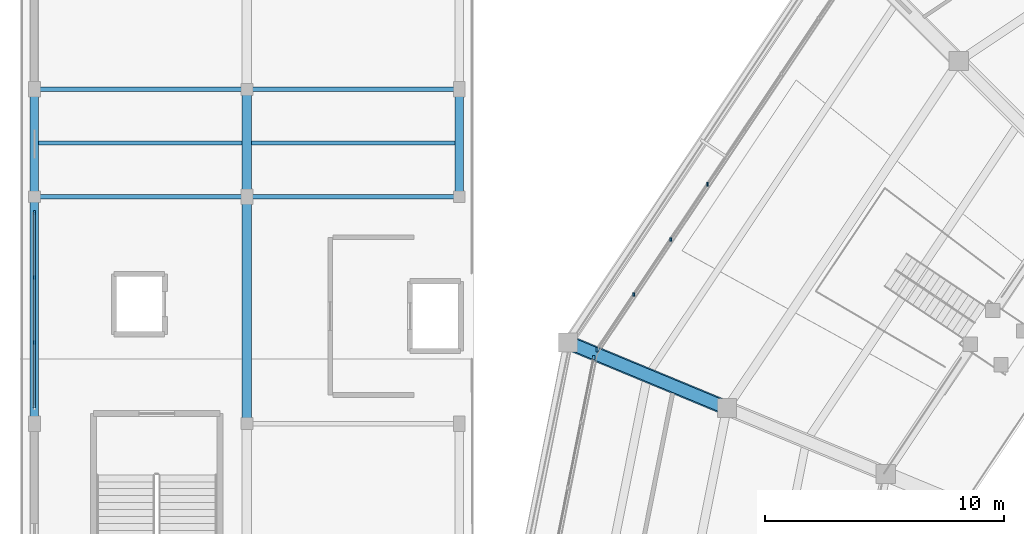
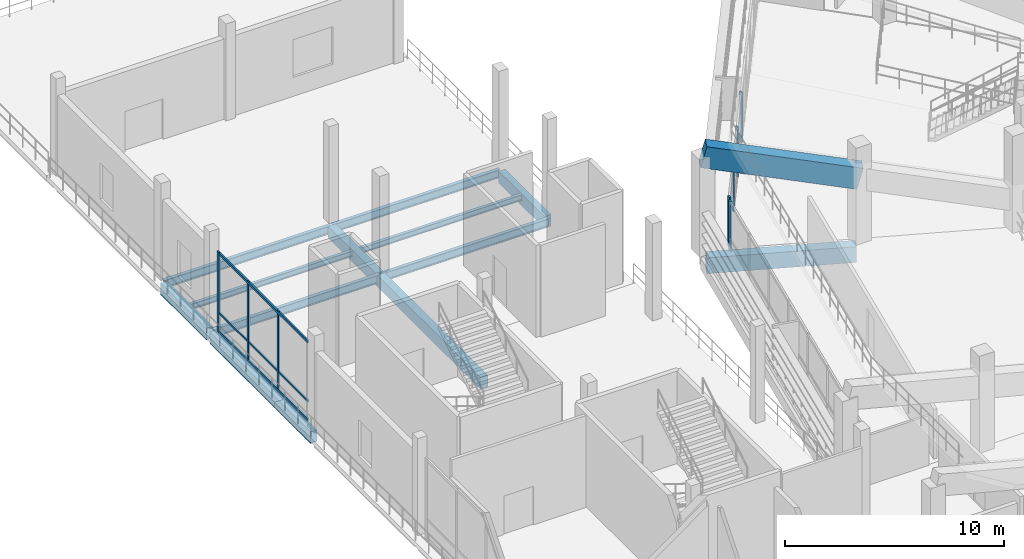
# One storey, part 24 of 96: 13 beams, 11 members, 3 elements without a shape of their own.
"""IFC4 building model written with IfcOpenShell, lengths in metres."""

from ifc_helpers import new_model, si_unit, direction, frame, origin, origin_2d, place, context, subcontext, project, spatial, rectangle, i_section, extrude, material, material_profile, profile_set, type_object, element, aggregate, save


model = new_model("IFC4")

# Units and contexts
model_context = context("Model", 3, precision=1e-05, world=origin(), true_north=direction((0.0, 1.0)))
body_context = subcontext(model_context, "Body", "Model", "MODEL_VIEW")
ifc_project = project(units=[si_unit("LENGTHUNIT", "METRE"), si_unit("AREAUNIT", "SQUARE_METRE"), si_unit("VOLUMEUNIT", "CUBIC_METRE"), si_unit("PLANEANGLEUNIT", "RADIAN"), si_unit("MASSUNIT", "GRAM", prefix="KILO")], contexts=[model_context])

# Site, building, storey
site_placement = place(None, origin())
site = spatial("IfcSite", under=ifc_project, at=site_placement, CompositionType="ELEMENT")
building_placement = place(site_placement, origin())
building = spatial("IfcBuilding", under=site, at=building_placement, Name="Candeia Ridge Stadium", CompositionType="ELEMENT")
storey_placement = place(building_placement, frame((0.0, 0.0, 21.60009765625)))
storey = spatial("IfcBuildingStorey", under=building, at=storey_placement, Name="L04", CompositionType="ELEMENT", Elevation=21.60009765625)

# Curtain wall, member
ifc_material_1 = material(Name="Aluminium Anodized Warm Bronze", Category="aluminium")
curtain_wall_type_1 = type_object("IfcCurtainWallType", Name="Concourse Recessed Unitised Curtain Wall", PredefinedType="NOTDEFINED", material=ifc_material_1)
curtain_wall_1_placement = place(storey_placement, origin())
curtain_wall_1 = element("IfcCurtainWall", 1, at=curtain_wall_1_placement, inside=storey, type_object=curtain_wall_type_1, Name="Unitised curtain wall CW-BWL-L04-09", PredefinedType="NOTDEFINED")
ifc_material_profile_1 = material_profile(ifc_material_1, rectangle(XDim=0.090087890625, YDim=0.179931640625, at=origin_2d()), Name="CWM-90x180", Category="aluminium")
ifc_profile_set_1 = profile_set([ifc_material_profile_1], Name="Aluminium Anodized Warm Bronze")
member_type_1 = type_object("IfcMemberType", Name="Curtain Wall Primary Mullion 90x180", PredefinedType="MULLION", material=ifc_profile_set_1)
member_1_placement = place(storey_placement, frame((24.1669921875, 114.590087890625, 0.0), z_axis=(0.0, 0.0, 1.0), x_axis=(1.0, 0.0, 0.0)))
member_1 = element("IfcMember", 2, at=member_1_placement, type_object=member_type_1, Name="Curtain wall mullion CW-BWL-L04-09-M7", PredefinedType="MULLION", context=body_context, shape_type="SweptSolid", body=[
    extrude(rectangle(XDim=0.090087890625, YDim=0.179931640625, at=origin_2d()), origin(), (0.0, 0.0, 1.0), 2.772216796875),
])

curtain_wall_2_placement = place(storey_placement, origin())
curtain_wall_2 = element("IfcCurtainWall", 3, at=curtain_wall_2_placement, inside=storey, type_object=curtain_wall_type_1, Name="Unitised curtain wall CW-BWL-L04-10", PredefinedType="NOTDEFINED")
member_2_placement = place(storey_placement, frame((24.03173828125, 114.263916015625, 0.0), z_axis=(0.0, 0.0, 1.0), x_axis=(1.0, 0.0, 0.0)))
member_2 = element("IfcMember", 4, at=member_2_placement, type_object=member_type_1, Name="Curtain wall mullion CW-BWL-L04-10-M0", PredefinedType="MULLION", context=body_context, shape_type="SweptSolid", body=[
    extrude(rectangle(XDim=0.090087890625, YDim=0.179931640625, at=origin_2d()), origin(), (0.0, 0.0, 1.0), 2.772216796875),
])
aggregate(curtain_wall_2, [member_2])

curtain_wall_type_2 = type_object("IfcCurtainWallType", Name="West Pavilion Hospitality Curtain Wall", PredefinedType="NOTDEFINED", material=ifc_material_1)
curtain_wall_3_placement = place(storey_placement, origin())
curtain_wall_3 = element("IfcCurtainWall", 5, at=curtain_wall_3_placement, inside=storey, type_object=curtain_wall_type_2, Name="Unitised curtain wall CW-WNG-L04-097", PredefinedType="NOTDEFINED")
member_3_placement = place(storey_placement, frame((0.60009765625, 120.340087890625, 0.0), z_axis=(0.0, 0.0, 1.0), x_axis=(1.0, 0.0, 0.0)))
member_3 = element("IfcMember", 6, at=member_3_placement, type_object=member_type_1, Name="Curtain wall mullion CW-WNG-L04-097-M3", PredefinedType="MULLION", context=body_context, shape_type="SweptSolid", body=[
    extrude(rectangle(XDim=0.090087890625, YDim=0.179931640625, at=origin_2d()), origin(), (0.0, 0.0, 1.0), 4.46484375),
])

# Member
ifc_material_profile_2 = material_profile(ifc_material_1, rectangle(XDim=0.074951171875, YDim=0.14990234375, at=origin_2d()), Name="CWM-75x150", Category="aluminium")
ifc_profile_set_2 = profile_set([ifc_material_profile_2], Name="Aluminium Anodized Warm Bronze")
member_type_2 = type_object("IfcMemberType", Name="Curtain Wall Secondary Mullion 75x150", PredefinedType="MULLION", material=ifc_profile_set_2)
member_4_placement = place(storey_placement, frame((28.80078125, 121.52490234375, 0.0), z_axis=(0.0, 0.0, 1.0), x_axis=(1.0, 0.0, 0.0)))
member_4 = element("IfcMember", 7, at=member_4_placement, type_object=member_type_2, Name="Curtain wall mullion CW-BWL-L04-09-M4", PredefinedType="MULLION", context=body_context, shape_type="SweptSolid", body=[
    extrude(rectangle(XDim=0.074951171875, YDim=0.14990234375, at=origin_2d()), origin(), (0.0, 0.0, 1.0), 2.772216796875),
])

member_5_placement = place(storey_placement, frame((27.256103515625, 119.21337890625, 0.0), z_axis=(0.0, 0.0, 1.0), x_axis=(1.0, 0.0, 0.0)))
member_5 = element("IfcMember", 8, at=member_5_placement, type_object=member_type_2, Name="Curtain wall mullion CW-BWL-L04-09-M5", PredefinedType="MULLION", context=body_context, shape_type="SweptSolid", body=[
    extrude(rectangle(XDim=0.074951171875, YDim=0.14990234375, at=origin_2d()), origin(), (0.0, 0.0, 1.0), 2.772216796875),
])

member_6_placement = place(storey_placement, frame((25.71142578125, 116.901611328125, 0.0), z_axis=(0.0, 0.0, 1.0), x_axis=(1.0, 0.0, 0.0)))
member_6 = element("IfcMember", 9, at=member_6_placement, type_object=member_type_2, Name="Curtain wall mullion CW-BWL-L04-09-M6", PredefinedType="MULLION", context=body_context, shape_type="SweptSolid", body=[
    extrude(rectangle(XDim=0.074951171875, YDim=0.14990234375, at=origin_2d()), origin(), (0.0, 0.0, 1.0), 2.772216796875),
])

aggregate(curtain_wall_1, [member_4, member_5, member_6, member_1])

member_7_placement = place(storey_placement, frame((0.60009765625, 114.88671875, 0.0), z_axis=(0.0, 0.0, 1.0), x_axis=(1.0, 0.0, 0.0)))
member_7 = element("IfcMember", 10, at=member_7_placement, type_object=member_type_2, Name="Curtain wall mullion CW-WNG-L04-097-M1", PredefinedType="MULLION", context=body_context, shape_type="SweptSolid", body=[
    extrude(rectangle(XDim=0.074951171875, YDim=0.14990234375, at=origin_2d()), origin(), (0.0, 0.0, 1.0), 4.46484375),
])

member_8_placement = place(storey_placement, frame((0.60009765625, 117.61328125, 0.0), z_axis=(0.0, 0.0, 1.0), x_axis=(1.0, 0.0, 0.0)))
member_8 = element("IfcMember", 11, at=member_8_placement, type_object=member_type_2, Name="Curtain wall mullion CW-WNG-L04-097-M2", PredefinedType="MULLION", context=body_context, shape_type="SweptSolid", body=[
    extrude(rectangle(XDim=0.074951171875, YDim=0.14990234375, at=origin_2d()), origin(), (0.0, 0.0, 1.0), 4.46484375),
])

ifc_material_profile_3 = material_profile(ifc_material_1, rectangle(XDim=0.074951171875, YDim=0.110107421875, at=origin_2d()), Name="CWT-75x110", Category="aluminium")
ifc_profile_set_3 = profile_set([ifc_material_profile_3], Name="Aluminium Anodized Warm Bronze")
member_type_3 = type_object("IfcMemberType", Name="Curtain Wall Secondary Transom 75x110", PredefinedType="USERDEFINED", material=ifc_profile_set_3)
member_9_placement = place(storey_placement, frame((0.60009765625, 112.159912109375, 1.099853515625), z_axis=(0.0, 1.0, 0.0), x_axis=(-1.0, 0.0, 0.0)))
member_9 = element("IfcMember", 12, at=member_9_placement, type_object=member_type_3, Name="Curtain wall transom CW-WNG-L04-097-T1", ObjectType="TRANSOM", PredefinedType="USERDEFINED", context=body_context, shape_type="SweptSolid", body=[
    extrude(rectangle(XDim=0.074951171875, YDim=0.110107421875, at=origin_2d()), origin(), (0.0, 0.0, 1.0), 8.18017578125),
])

ifc_material_profile_4 = material_profile(ifc_material_1, rectangle(XDim=0.090087890625, YDim=0.139892578125, at=origin_2d()), Name="CWT-90x140", Category="aluminium")
ifc_profile_set_4 = profile_set([ifc_material_profile_4], Name="Aluminium Anodized Warm Bronze")
member_type_4 = type_object("IfcMemberType", Name="Curtain Wall Transom 90x140", PredefinedType="USERDEFINED", material=ifc_profile_set_4)
member_10_placement = place(storey_placement, frame((0.60009765625, 112.159912109375, 0.06982421875), z_axis=(0.0, 1.0, 0.0), x_axis=(-1.0, 0.0, 0.0)))
member_10 = element("IfcMember", 13, at=member_10_placement, type_object=member_type_4, Name="Curtain wall transom CW-WNG-L04-097-T0", ObjectType="TRANSOM", PredefinedType="USERDEFINED", context=body_context, shape_type="SweptSolid", body=[
    extrude(rectangle(XDim=0.090087890625, YDim=0.139892578125, at=origin_2d()), origin(), (0.0, 0.0, 1.0), 8.18017578125),
])

member_11_placement = place(storey_placement, frame((0.60009765625, 112.159912109375, 4.39501953125), z_axis=(0.0, 1.0, 0.0), x_axis=(-1.0, 0.0, 0.0)))
member_11 = element("IfcMember", 14, at=member_11_placement, type_object=member_type_4, Name="Curtain wall transom CW-WNG-L04-097-T2", ObjectType="TRANSOM", PredefinedType="USERDEFINED", context=body_context, shape_type="SweptSolid", body=[
    extrude(rectangle(XDim=0.090087890625, YDim=0.139892578125, at=origin_2d()), origin(), (0.0, 0.0, 1.0), 8.18017578125),
])

aggregate(curtain_wall_3, [member_7, member_8, member_3, member_10, member_9, member_11])

# Beams
ifc_material_2 = material(Name="Concrete C45/55", Category="concrete")
ifc_material_profile_5 = material_profile(ifc_material_2, rectangle(XDim=0.52001953125, YDim=0.8798828125, at=origin_2d()), Name="RC520x880", Category="concrete")
ifc_profile_set_5 = profile_set([ifc_material_profile_5], Name="Concrete C45/55")
beam_type_1 = type_object("IfcBeamType", Name="Frame Girder RC520x880", PredefinedType="BEAM", material=ifc_profile_set_5)
beam_1_placement = place(storey_placement, frame((29.46240234375, 112.20556640625, -0.7001953125), z_axis=(-0.923880161031, 0.382681914982, 0.0), x_axis=(-0.382681914982, -0.923880161031, 0.0)))
element("IfcBeam", 15, at=beam_1_placement, inside=storey, type_object=beam_type_1, Name="Bowl radial girder BM-L04-0742", PredefinedType="BEAM", context=body_context, shape_type="SweptSolid", body=[
    extrude(rectangle(XDim=0.52001953125, YDim=0.8798828125, at=origin_2d()), origin(), (0.0, 0.0, 1.0), 6.8798828125),
])
ifc_material_3 = material(Name="Steel ASTM A572 Grade 50", Category="steel")
ifc_material_profile_6 = material_profile(ifc_material_3, i_section(OverallWidth=0.1669921875, OverallDepth=0.31689453125, WebThickness=0.007568359375, FlangeThickness=0.01318359375, FilletRadius=0.011962890625, at=origin_2d()), Name="W310x52", Category="steel")
ifc_profile_set_6 = profile_set([ifc_material_profile_6], Name="Steel ASTM A572 Grade 50")
beam_type_2 = type_object("IfcBeamType", Name="Pavilion Secondary Joist W310x52", PredefinedType="JOIST", material=ifc_profile_set_6)
for number, where, z_axis, x_axis, name in (
    (16, (0.7744140625, 123.25, -0.418701171875), (1.0, 0.0, 0.0), (0.0, 1.0, 0.0), "Wing secondary joist BM-L04-1323"),
    (17, (9.699462890625, 123.25, -0.418701171875), (1.0, 0.0, 0.0), (0.0, 1.0, 0.0), "Wing secondary joist BM-L04-1347"),
):
    element("IfcBeam", number, at=place(storey_placement, frame(where, z_axis=z_axis, x_axis=x_axis)), inside=storey, type_object=beam_type_2, Name=name, PredefinedType="JOIST", context=body_context, shape_type="SweptSolid", body=[
        extrude(i_section(OverallWidth=0.1669921875, OverallDepth=0.31689453125, WebThickness=0.007568359375, FlangeThickness=0.01318359375, FilletRadius=0.011962890625, at=origin_2d()), origin(), (0.0, 0.0, 1.0), 8.526123046875),
    ])
ifc_material_profile_7 = material_profile(ifc_material_3, i_section(OverallWidth=0.18994140625, OverallDepth=0.45703125, WebThickness=0.009033203125, FlangeThickness=0.014404296875, FilletRadius=0.012939453125, at=origin_2d()), Name="W460x74", Category="steel")
ifc_profile_set_7 = profile_set([ifc_material_profile_7], Name="Steel ASTM A572 Grade 50")
beam_type_3 = type_object("IfcBeamType", Name="Pavilion Steel Girder W460x74", PredefinedType="BEAM", material=ifc_profile_set_7)
for number, where, z_axis, x_axis, name in (
    (18, (0.64990234375, 121.0, -0.488525390625), (1.0, 0.0, 0.0), (0.0, 1.0, 0.0), "Structural girder BM-L04-1322"),
    (19, (0.64990234375, 125.5, -0.488525390625), (1.0, 0.0, 0.0), (0.0, 1.0, 0.0), "Structural girder BM-L04-1324"),
    (20, (9.550048828125, 121.0, -0.488525390625), (1.0, 0.0, 0.0), (0.0, 1.0, 0.0), "Structural girder BM-L04-1346"),
    (21, (9.550048828125, 125.5, -0.488525390625), (1.0, 0.0, 0.0), (0.0, 1.0, 0.0), "Structural girder BM-L04-1348"),
):
    element("IfcBeam", number, at=place(storey_placement, frame(where, z_axis=z_axis, x_axis=x_axis)), inside=storey, type_object=beam_type_3, Name=name, PredefinedType="BEAM", context=body_context, shape_type="SweptSolid", body=[
        extrude(i_section(OverallWidth=0.18994140625, OverallDepth=0.45703125, WebThickness=0.009033203125, FlangeThickness=0.014404296875, FilletRadius=0.012939453125, at=origin_2d()), origin(), (0.0, 0.0, 1.0), 8.800048828125),
    ])
ifc_material_4 = material(Name="Concrete C40/50", Category="concrete")
ifc_material_profile_8 = material_profile(ifc_material_4, rectangle(XDim=0.35009765625, YDim=0.64990234375, at=origin_2d()), Name="RC350x650", Category="concrete")
ifc_profile_set_8 = profile_set([ifc_material_profile_8], Name="Concrete C40/50")
beam_type_4 = type_object("IfcBeamType", Name="Spandrel Beam RC350x650", PredefinedType="SPANDREL", material=ifc_profile_set_8)
beam_2_placement = place(storey_placement, frame((0.60009765625, 111.659912109375, -0.585205078125), z_axis=(0.0, 1.0, 0.0), x_axis=(-1.0, 0.0, 0.0)))
element("IfcBeam", 22, at=beam_2_placement, inside=storey, type_object=beam_type_4, Name="Structural girder BM-L04-1283", PredefinedType="SPANDREL", context=body_context, shape_type="SweptSolid", body=[
    extrude(rectangle(XDim=0.35009765625, YDim=0.64990234375, at=origin_2d()), origin(), (0.0, 0.0, 1.0), 9.18017578125),
])
for number, where, z_axis, x_axis, name in (
    (23, (0.60009765625, 121.159912109375, -0.585205078125), (0.0, 1.0, 0.0), (-1.0, 0.0, 0.0), "Structural girder BM-L04-1284"),
    (24, (18.39990234375, 121.159912109375, -0.585205078125), (0.0, 1.0, 0.0), (-1.0, 0.0, 0.0), "Structural girder BM-L04-1308"),
):
    element("IfcBeam", number, at=place(storey_placement, frame(where, z_axis=z_axis, x_axis=x_axis)), inside=storey, type_object=beam_type_4, Name=name, PredefinedType="SPANDREL", context=body_context, shape_type="SweptSolid", body=[
        extrude(rectangle(XDim=0.35009765625, YDim=0.64990234375, at=origin_2d()), origin(), (0.0, 0.0, 1.0), 4.18017578125),
    ])
ifc_material_profile_9 = material_profile(ifc_material_2, rectangle(XDim=0.6201171875, YDim=1.179931640625, at=origin_2d()), Name="RC620x1180", Category="concrete")
ifc_profile_set_9 = profile_set([ifc_material_profile_9], Name="Concrete C45/55")
beam_type_5 = type_object("IfcBeamType", Name="Stand Raker Beam RC620x1180", PredefinedType="USERDEFINED", material=ifc_profile_set_9)
beam_3_placement = place(storey_placement, frame((29.610107421875, 112.144287109375, 3.531982421875), z_axis=(-0.894373489566, 0.370472700699, 0.250691123094), x_axis=(-0.382693194178, -0.923875488976, 0.0)))
element("IfcBeam", 25, at=beam_3_placement, inside=storey, type_object=beam_type_5, Name="Stand T3 outer raker beam 11", ObjectType="RAKER", PredefinedType="USERDEFINED", context=body_context, shape_type="SweptSolid", body=[
    extrude(rectangle(XDim=0.6201171875, YDim=1.179931640625, at=origin_2d()), origin(), (0.0, 0.0, 1.0), 7.4375),
])
ifc_material_profile_10 = material_profile(ifc_material_4, rectangle(XDim=0.39990234375, YDim=0.64990234375, at=origin_2d()), Name="RC400x650", Category="concrete")
ifc_profile_set_10 = profile_set([ifc_material_profile_10], Name="Concrete C40/50")
beam_type_6 = type_object("IfcBeamType", Name="Wing Primary Girder RC400x650", PredefinedType="BEAM", material=ifc_profile_set_10)
beam_4_placement = place(storey_placement, frame((9.5, 111.550048828125, -0.585205078125), z_axis=(0.0, 1.0, 0.0), x_axis=(-1.0, 0.0, 0.0)))
element("IfcBeam", 26, at=beam_4_placement, inside=storey, type_object=beam_type_6, Name="Structural girder BM-L04-1295", PredefinedType="BEAM", context=body_context, shape_type="SweptSolid", body=[
    extrude(rectangle(XDim=0.39990234375, YDim=0.64990234375, at=origin_2d()), origin(), (0.0, 0.0, 1.0), 9.39990234375),
])
beam_5_placement = place(storey_placement, frame((9.5, 121.050048828125, -0.585205078125), z_axis=(0.0, 1.0, 0.0), x_axis=(-1.0, 0.0, 0.0)))
element("IfcBeam", 27, at=beam_5_placement, inside=storey, type_object=beam_type_6, Name="Structural girder BM-L04-1296", PredefinedType="BEAM", context=body_context, shape_type="SweptSolid", body=[
    extrude(rectangle(XDim=0.39990234375, YDim=0.64990234375, at=origin_2d()), origin(), (0.0, 0.0, 1.0), 4.39990234375),
])

save(model, "model.ifc")
